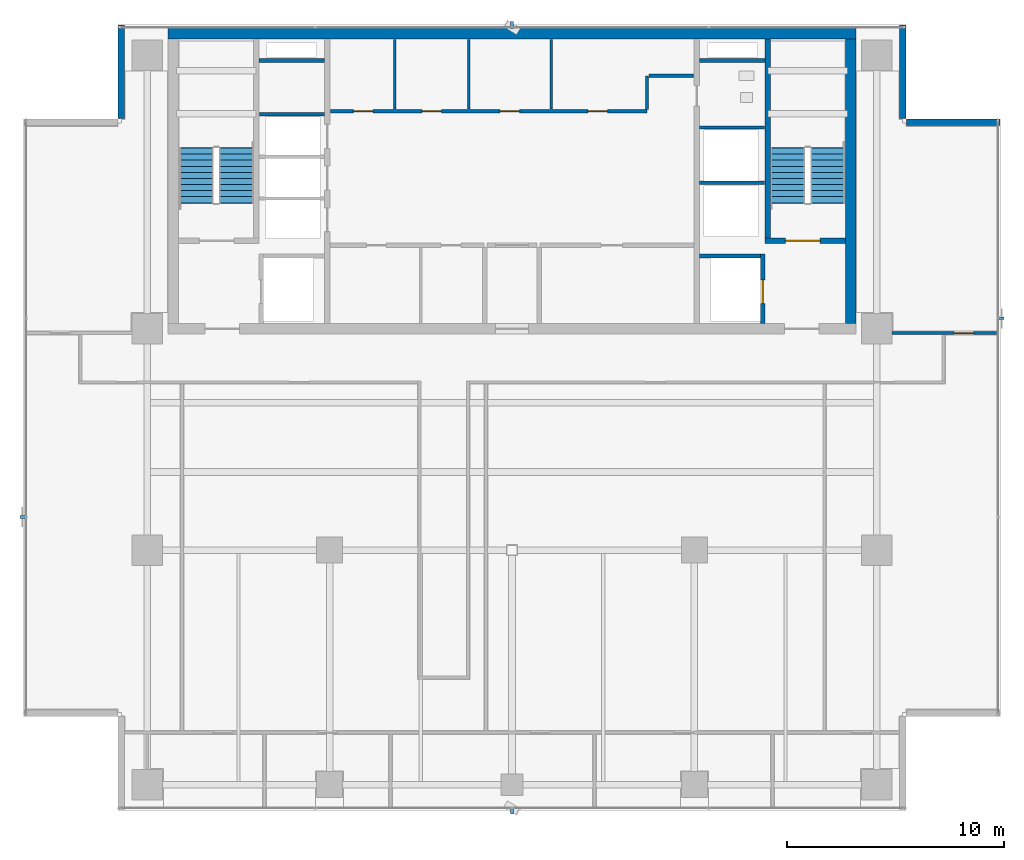
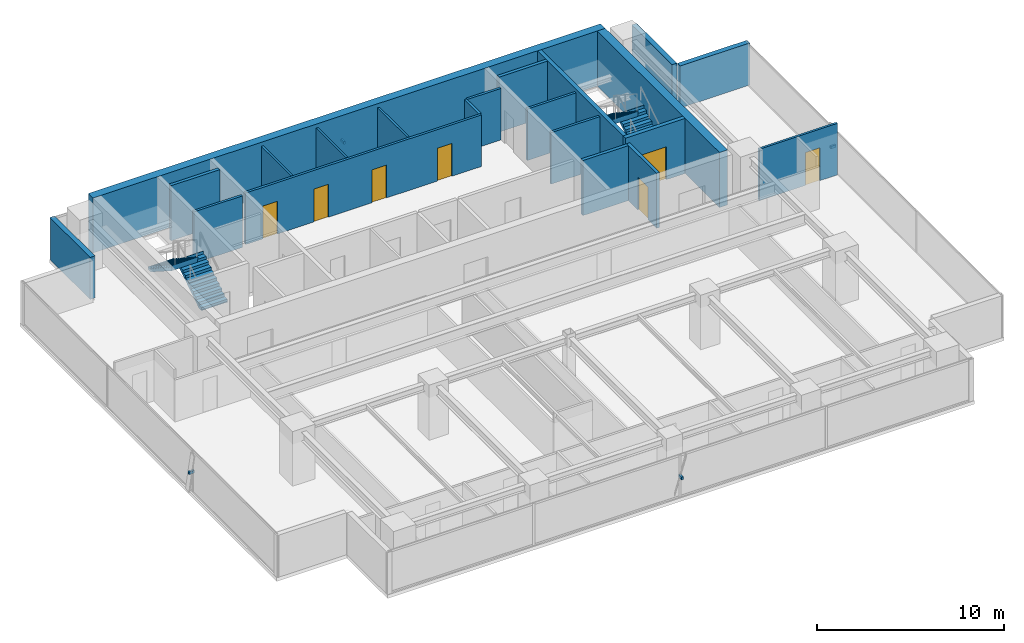
# One storey, part 21 of 25: 21 walls, 7 doors, 4 discrete accessories, 4 stair flights, 7 openings, 2 elements without a shape of their own.
"""IFC4 building model written with IfcOpenShell, lengths in metres."""

import ifcopenshell
import ifcopenshell.guid

model = None  # the IFC model being written
_history = None  # IfcOwnerHistory: only IFC2X3 demands one
_inside = {}  # id of a spatial element -> (the spatial element, [elements in it])
_under = {}  # id of a project, library or spatial element -> (it, [spatial elements below it])
_declared = {}  # id of a project -> (the project, [libraries it declares])
_typed = {}  # id of a type object -> (the type object, [elements of that type])
_made_of = {}  # id of a material, layer set ... -> (it, [elements and type objects made of it])


def new_model(schema):
    """Start an empty IFC model of exactly this schema.

    Asked for "IFC4X3", IfcOpenShell would pick the latest addendum, in which some entities
    have other attributes; the version numbers below select the first issue.
    IFC2X3 requires an IfcOwnerHistory on every rooted entity: one is made here for all.
    """
    global model, _history
    if schema == "IFC4X3":
        model = ifcopenshell.file(schema_version=(4, 3, 0, 0))
    else:
        model = ifcopenshell.file(schema=schema)
    _inside.clear()
    _under.clear()
    _declared.clear()
    _typed.clear()
    _made_of.clear()
    _history = None
    if model.schema == "IFC2X3":
        org = make("IfcOrganization", Name="unknown")
        user = make(
            "IfcPersonAndOrganization",
            ThePerson=make("IfcPerson", FamilyName="unknown"),
            TheOrganization=org,
        )
        app = make(
            "IfcApplication",
            ApplicationDeveloper=org,
            Version="unknown",
            ApplicationFullName="unknown",
            ApplicationIdentifier="unknown",
        )
        _history = make(
            "IfcOwnerHistory",
            OwningUser=user,
            OwningApplication=app,
            ChangeAction="ADDED",
            CreationDate=0,
        )
    return model


def make(cls, **values):
    """One entity of the class cls with the attributes given. An attribute that is None is left unset."""
    return model.create_entity(
        cls, **{name: value for name, value in values.items() if value is not None}
    )


def rooted(cls, **values):
    """An entity with a GlobalId (a new one), such as an element, a storey or a relation."""
    return make(cls, GlobalId=ifcopenshell.guid.new(), OwnerHistory=_history, **values)


def si_unit(unit_type, name, prefix=None):
    """IfcSIUnit, for example si_unit("LENGTHUNIT", "METRE", prefix="MILLI")."""
    return make("IfcSIUnit", UnitType=unit_type, Prefix=prefix, Name=name)


def assignment(units):
    """IfcUnitAssignment: the units of a project."""
    return None if units is None else make("IfcUnitAssignment", Units=units)


def point(xyz):
    """IfcCartesianPoint."""
    return None if xyz is None else make("IfcCartesianPoint", Coordinates=xyz)


def direction(xyz):
    """IfcDirection."""
    return None if xyz is None else make("IfcDirection", DirectionRatios=xyz)


def frame(location, z_axis=None, x_axis=None):
    """IfcAxis2Placement3D, a coordinate frame: its origin and axes. An axis left out is left unset."""
    return make(
        "IfcAxis2Placement3D",
        Location=point(location),
        Axis=direction(z_axis),
        RefDirection=direction(x_axis),
    )


def frame_2d(location, x_axis=None):
    """IfcAxis2Placement2D, a coordinate frame in the plane: its origin and x axis."""
    return make(
        "IfcAxis2Placement2D", Location=point(location), RefDirection=direction(x_axis)
    )


def origin():
    """The frame at (0, 0, 0) with its axes left unset."""
    return frame((0.0, 0.0, 0.0))


def origin_2d():
    """The frame at (0, 0) in the plane with its x axis left unset."""
    return frame_2d((0.0, 0.0))


def place(relative_to, where):
    """IfcLocalPlacement: puts the frame where relative to a parent placement (None: the world)."""
    return make(
        "IfcLocalPlacement", PlacementRelTo=relative_to, RelativePlacement=where
    )


def context(
    kind, dimensions, precision=None, world=None, true_north=None, identifier=None
):
    """IfcGeometricRepresentationContext, for example the 3D "Model" context."""
    return make(
        "IfcGeometricRepresentationContext",
        ContextIdentifier=identifier,
        ContextType=kind,
        CoordinateSpaceDimension=dimensions,
        Precision=precision,
        WorldCoordinateSystem=world,
        TrueNorth=true_north,
    )


def subcontext(parent, identifier, kind, view, scale=None):
    """IfcGeometricRepresentationSubContext, for example "Body" below "Model"."""
    return make(
        "IfcGeometricRepresentationSubContext",
        ContextIdentifier=identifier,
        ContextType=kind,
        ParentContext=parent,
        TargetScale=scale,
        TargetView=view,
    )


def project(units=None, contexts=None):
    """IfcProject with its units and contexts."""
    return rooted(
        "IfcProject",
        Name="project",
        RepresentationContexts=contexts,
        UnitsInContext=assignment(units),
    )


def spatial(cls, under=None, at=None, **own):
    """A site, building, storey or space (cls), placed at a placement, below another one or the project."""
    s = rooted(cls, ObjectPlacement=at, **own)
    if under is not None:
        _under.setdefault(under.id(), (under, []))[1].append(s)
    return s


def polyline(points):
    """IfcPolyline through the points."""
    return make("IfcPolyline", Points=[point(p) for p in points])


def profile(cls, at=None, kind="AREA", **sizes):
    """A parametric profile (cls). Its sizes go by their IFC names, for example OverallWidth=200.0."""
    return make(cls, ProfileType=kind, Position=at, **sizes)


def rectangle(**sizes):
    """IfcRectangleProfileDef."""
    return profile("IfcRectangleProfileDef", **sizes)


def outline(outer, holes=None, kind="AREA"):
    """IfcArbitraryClosedProfileDef: a profile drawn as a closed curve; with holes, ...WithVoids."""
    if holes is None:
        return make("IfcArbitraryClosedProfileDef", ProfileType=kind, OuterCurve=outer)
    return make(
        "IfcArbitraryProfileDefWithVoids",
        ProfileType=kind,
        OuterCurve=outer,
        InnerCurves=holes,
    )


def extrude(swept, where, along, depth):
    """IfcExtrudedAreaSolid: the profile swept, set in the frame where, extruded along a direction by depth."""
    return make(
        "IfcExtrudedAreaSolid",
        SweptArea=swept,
        Position=where,
        ExtrudedDirection=direction(along),
        Depth=depth,
    )


def shape(context_of_items, identifier, shape_type, items):
    """IfcShapeRepresentation: the items that make up one representation, for example the "Body"."""
    return make(
        "IfcShapeRepresentation",
        ContextOfItems=context_of_items,
        RepresentationIdentifier=identifier,
        RepresentationType=shape_type,
        Items=items,
    )


def source(mapping_origin, context_of_items, identifier, shape_type, items):
    """IfcRepresentationMap: a shape defined once, which mapped items show again and again."""
    return make(
        "IfcRepresentationMap",
        MappingOrigin=mapping_origin,
        MappedRepresentation=shape(context_of_items, identifier, shape_type, items),
    )


def transform(
    local_origin,
    x_axis=None,
    y_axis=None,
    z_axis=None,
    scale=None,
    scale2=None,
    scale3=None,
    uniform=True,
):
    """IfcCartesianTransformationOperator3D, or its non-uniform kind. x_axis, y_axis, z_axis: its Axis1, 2, 3."""
    if uniform:
        return make(
            "IfcCartesianTransformationOperator3D",
            Axis1=direction(x_axis),
            Axis2=direction(y_axis),
            LocalOrigin=point(local_origin),
            Scale=scale,
            Axis3=direction(z_axis),
        )
    return make(
        "IfcCartesianTransformationOperator3DnonUniform",
        Axis1=direction(x_axis),
        Axis2=direction(y_axis),
        LocalOrigin=point(local_origin),
        Scale=scale,
        Axis3=direction(z_axis),
        Scale2=scale2,
        Scale3=scale3,
    )


def mapped(mapping_source, mapping_target):
    """IfcMappedItem: shows the shape of a source again, moved by a transform."""
    return make(
        "IfcMappedItem", MappingSource=mapping_source, MappingTarget=mapping_target
    )


def material(Name=None, Category=None):
    """IfcMaterial."""
    return make("IfcMaterial", Name=Name, Category=Category)


def layer(
    of_material, thickness, ventilated=None, Name=None, Category=None, Priority=None
):
    """IfcMaterialLayer: one layer of a wall or slab, of a material (None: an air gap)."""
    return make(
        "IfcMaterialLayer",
        Material=of_material,
        LayerThickness=thickness,
        IsVentilated=ventilated,
        Name=Name,
        Category=Category,
        Priority=Priority,
    )


def layer_set(layers, Name=None):
    """IfcMaterialLayerSet."""
    return make("IfcMaterialLayerSet", MaterialLayers=layers, LayerSetName=Name)


def material_profile(
    of_material, cross_section, Name=None, Category=None, Priority=None
):
    """IfcMaterialProfile: a cross section and its material."""
    return make(
        "IfcMaterialProfile",
        Name=Name,
        Material=of_material,
        Profile=cross_section,
        Priority=Priority,
        Category=Category,
    )


def profile_set(profiles, Name=None, composite=None):
    """IfcMaterialProfileSet."""
    return make(
        "IfcMaterialProfileSet",
        Name=Name,
        MaterialProfiles=profiles,
        CompositeProfile=composite,
    )


def made_of(thing, what):
    """Note that an element or type object is made of a material, layer set ...; save() writes the relation."""
    if what is not None:
        _made_of.setdefault(what.id(), (what, []))[1].append(thing)
    return thing


def type_object(cls, material=None, **own):
    """A type object (cls), such as IfcWallType, which elements share."""
    return made_of(rooted(cls, **own), material)


def element(
    cls,
    number,
    at=None,
    inside=None,
    cuts=None,
    type_object=None,
    material=None,
    context=None,
    identifier="Body",
    shape_type=None,
    held_by="IfcProductDefinitionShape",
    body=None,
    shapes=None,
    **own,
):
    """One element of the class cls, such as IfcWall. Its Tag is "e" and its number.

    at: its placement. inside: the storey or other place that contains it. cuts: it is an
    opening in that element (IfcRelVoidsElement). A single representation is given by context,
    identifier, shape_type and body (its items); several are given by shapes. held_by: the class
    of the entity that holds the representations. save() writes the other relations.
    """
    e = rooted(cls, Tag="e%d" % number, ObjectPlacement=at, **own)
    if body is not None:
        shapes = [shape(context, identifier, shape_type, body)]
    if shapes is not None:
        e.Representation = make(held_by, Representations=shapes)
    if inside is not None:
        _inside.setdefault(inside.id(), (inside, []))[1].append(e)
    if cuts is not None:
        rooted(
            "IfcRelVoidsElement", RelatingBuildingElement=cuts, RelatedOpeningElement=e
        )
    if type_object is not None:
        _typed.setdefault(type_object.id(), (type_object, []))[1].append(e)
    return made_of(e, material)


def fill(opening, filler):
    """IfcRelFillsElement: the door or window that sits in an opening."""
    return rooted(
        "IfcRelFillsElement",
        RelatingOpeningElement=opening,
        RelatedBuildingElement=filler,
    )


def aggregate(whole, parts):
    """IfcRelAggregates: a whole, such as a stair, and the parts it consists of."""
    return rooted("IfcRelAggregates", RelatingObject=whole, RelatedObjects=parts)


def save(model, path):
    """Write the relations noted so far, then the file.

    IfcRelAggregates (storeys below a building ...), IfcRelContainedInSpatialStructure (elements
    in a storey), IfcRelDefinesByType, IfcRelAssociatesMaterial and IfcRelDeclares: one each for
    every whole, place, type object, material and project.
    """
    for whole, parts in _under.values():
        aggregate(whole, parts)
    for where, things in _inside.values():
        rooted(
            "IfcRelContainedInSpatialStructure",
            RelatedElements=things,
            RelatingStructure=where,
        )
    for kind, things in _typed.values():
        rooted("IfcRelDefinesByType", RelatedObjects=things, RelatingType=kind)
    for what, things in _made_of.values():
        rooted("IfcRelAssociatesMaterial", RelatedObjects=things, RelatingMaterial=what)
    for by, libraries in _declared.values():
        rooted("IfcRelDeclares", RelatingContext=by, RelatedDefinitions=libraries)
    model.write(path)


model = new_model("IFC4")

# Units and contexts
model_context = context("Model", 3, precision=1e-05, world=origin(), true_north=direction((0.0, 1.0)))
body_context = subcontext(model_context, "Body", "Model", "MODEL_VIEW")
ifc_project = project(units=[si_unit("LENGTHUNIT", "METRE"), si_unit("AREAUNIT", "SQUARE_METRE"), si_unit("VOLUMEUNIT", "CUBIC_METRE"), si_unit("PLANEANGLEUNIT", "RADIAN"), si_unit("MASSUNIT", "GRAM", prefix="KILO")], contexts=[model_context])

# Site, building, storey
site_placement = place(None, origin())
site = spatial("IfcSite", under=ifc_project, at=site_placement, CompositionType="ELEMENT")
building_placement = place(site_placement, origin())
building = spatial("IfcBuilding", under=site, at=building_placement, Name="Sumidabori Civic Tower", CompositionType="ELEMENT")
storey_placement = place(building_placement, frame((0.0, 0.0, 239.60009765625)))
storey = spatial("IfcBuildingStorey", under=building, at=storey_placement, Name="L62", CompositionType="ELEMENT", Elevation=239.60009765625)

# Walls
ifc_material_1 = material(Name="Concrete C50/60", Category="concrete")
ifc_layer_1 = layer(ifc_material_1, 0.199951171875, Name="Concrete C50/60")
ifc_layer_set_1 = layer_set([ifc_layer_1], Name="Concrete C50/60")
wall_type_1 = type_object("IfcWallType", Name="WL-SHAFT-200", PredefinedType="SHEAR", material=ifc_layer_set_1)
shared_shape_1 = source(origin(), body_context, "Body", "SweptSolid", [
    extrude(rectangle(XDim=2.824951171875, YDim=0.199951171875, at=frame_2d((1.41259765625, 0.0))), origin(), (0.0, 0.0, 1.0), 3.599853515625),
])
wall_1_placement = place(storey_placement, frame((8.625, 13.550048828125, 0.0), z_axis=(0.0, 0.0, 1.0), x_axis=(1.0, 0.0, 0.0)))
element("IfcWall", 1, at=wall_1_placement, inside=storey, type_object=wall_type_1, Name="Core Shear Wall L62 EL2-N", PredefinedType="SHEAR", context=body_context, shape_type="MappedRepresentation", body=[
    mapped(shared_shape_1, transform((0.0, 0.0, 0.0), x_axis=(1.0, 0.0, 0.0), y_axis=(0.0, 1.0, 0.0), z_axis=(0.0, 0.0, 1.0), scale=1.0)),
])
shared_shape_2 = source(origin(), body_context, "Body", "SweptSolid", [
    extrude(rectangle(XDim=3.02001953125, YDim=0.199951171875, at=frame_2d((1.510009765625, 0.0))), origin(), (0.0, 0.0, 1.0), 3.599853515625),
])
for number, where, z_axis, x_axis, name in (
    (2, (-11.64501953125, 22.550048828125, 0.0), (0.0, 0.0, 1.0), (1.0, 0.0, 0.0), "Core Shear Wall L62 RIS1-S"),
    (3, (8.625, 22.550048828125, 0.0), (0.0, 0.0, 1.0), (1.0, 0.0, 0.0), "Core Shear Wall L62 RIS2-S"),
):
    element("IfcWall", number, at=place(storey_placement, frame(where, z_axis=z_axis, x_axis=x_axis)), inside=storey, type_object=wall_type_1, Name=name, PredefinedType="SHEAR", context=body_context, shape_type="MappedRepresentation", body=[
        mapped(shared_shape_2, transform((0.0, 0.0, 0.0), x_axis=(1.0, 0.0, 0.0), y_axis=(0.0, 1.0, 0.0), z_axis=(0.0, 0.0, 1.0), scale=1.0)),
    ])
ifc_layer_2 = layer(ifc_material_1, 0.5, Name="Concrete C50/60")
ifc_layer_set_2 = layer_set([ifc_layer_2], Name="Concrete C50/60")
wall_type_2 = type_object("IfcWallType", Name="WL-CORE-500", PredefinedType="SHEAR", material=ifc_layer_set_2)
shared_shape_3 = source(origin(), body_context, "Body", "SweptSolid", [
    extrude(rectangle(XDim=31.7001953125, YDim=0.5, at=frame_2d((15.85009765625, 0.0))), origin(), (0.0, 0.0, 1.0), 3.599853515625),
])
wall_2_placement = place(storey_placement, frame((-15.85009765625, 23.800048828125, 0.0), z_axis=(0.0, 0.0, 1.0), x_axis=(1.0, 0.0, 0.0)))
element("IfcWall", 4, at=wall_2_placement, inside=storey, type_object=wall_type_2, Name="Core Shear Wall L62 N", PredefinedType="SHEAR", context=body_context, shape_type="MappedRepresentation", body=[
    mapped(shared_shape_3, transform((0.0, 0.0, 0.0), x_axis=(1.0, 0.0, 0.0), y_axis=(0.0, 1.0, 0.0), z_axis=(0.0, 0.0, 1.0), scale=1.0)),
])
shared_shape_4 = source(origin(), body_context, "Body", "SweptSolid", [
    extrude(rectangle(XDim=13.10009765625, YDim=0.5, at=frame_2d((6.550048828125, 0.0))), origin(), (0.0, 0.0, 1.0), 3.599853515625),
])
wall_3_placement = place(storey_placement, frame((15.60009765625, 10.449951171875, 0.0), z_axis=(0.0, 0.0, 1.0), x_axis=(0.0, 1.0, 0.0)))
element("IfcWall", 5, at=wall_3_placement, inside=storey, type_object=wall_type_2, Name="Core Shear Wall L62 E", PredefinedType="SHEAR", context=body_context, shape_type="MappedRepresentation", body=[
    mapped(shared_shape_4, transform((0.0, 0.0, 0.0), x_axis=(1.0, 0.0, 0.0), y_axis=(0.0, 1.0, 0.0), z_axis=(0.0, 0.0, 1.0), scale=1.0)),
])

# Wall, opening, door
ifc_layer_3 = layer(ifc_material_1, 0.25, Name="Concrete C50/60")
ifc_layer_set_3 = layer_set([ifc_layer_3], Name="Concrete C50/60")
wall_type_3 = type_object("IfcWallType", Name="WL-SHAFT-250", PredefinedType="SHEAR", material=ifc_layer_set_3)
shared_shape_5 = source(origin(), body_context, "Body", "SweptSolid", [
    extrude(rectangle(XDim=3.705078125, YDim=0.25, at=frame_2d((1.8525390625, 0.0))), origin(), (0.0, 0.0, 1.0), 3.599853515625),
])
wall_4_placement = place(storey_placement, frame((11.64501953125, 14.25, 0.0), z_axis=(0.0, 0.0, 1.0), x_axis=(1.0, 0.0, 0.0)))
wall_4 = element("IfcWall", 6, at=wall_4_placement, inside=storey, type_object=wall_type_3, Name="Core Shear Wall L62 ST2-S", PredefinedType="SHEAR", context=body_context, shape_type="MappedRepresentation", body=[
    mapped(shared_shape_5, transform((0.0, 0.0, 0.0), x_axis=(1.0, 0.0, 0.0), y_axis=(0.0, 1.0, 0.0), z_axis=(0.0, 0.0, 1.0), scale=1.0)),
])
opening_1_placement = place(wall_4_placement, frame((0.949951171875, 0.0, 0.0)))
opening_1 = element("IfcOpeningElement", 7, at=opening_1_placement, cuts=wall_4, Name="Opening DR-FD4", PredefinedType="OPENING", context=body_context, shape_type="SweptSolid", body=[
    extrude(rectangle(XDim=1.60009765625, YDim=2.14990234375, at=frame_2d((0.800048828125, 1.074951171875))), frame((0.0, 0.136962890625, 0.0), z_axis=(0.0, -1.0, 0.0), x_axis=(1.0, 0.0, 0.0)), (0.0, 0.0, 1.0), 0.27392578125),
])
ifc_material_2 = material(Name="Steel SN490", Category="steel")
door_type_1 = type_object("IfcDoorType", Name="DR-FD4", OperationType="DOUBLE_DOOR_SINGLE_SWING", PredefinedType="DOOR", material=ifc_material_2)
shared_shape_6 = source(origin(), body_context, "Body", "SweptSolid", [
    extrude(rectangle(XDim=1.60009765625, YDim=2.14990234375, at=frame_2d((0.800048828125, 1.074951171875))), frame((0.0, 0.02490234375, 0.0), z_axis=(0.0, -1.0, 0.0), x_axis=(1.0, 0.0, 0.0)), (0.0, 0.0, 1.0), 0.050048828125),
])
door_1_placement = place(opening_1_placement, origin())
door_1 = element("IfcDoor", 8, at=door_1_placement, inside=storey, type_object=door_type_1, Name="Door DR:L62:ST2", OperationType="DOUBLE_DOOR_SINGLE_SWING", OverallHeight=2.14990234375, OverallWidth=1.60009765625, PredefinedType="DOOR", context=body_context, shape_type="MappedRepresentation", body=[
    mapped(shared_shape_6, transform((0.0, 0.0, 0.0), x_axis=(1.0, 0.0, 0.0), y_axis=(0.0, 1.0, 0.0), z_axis=(0.0, 0.0, 1.0), scale=1.0)),
])
fill(opening_1, door_1)

# Wall
shared_shape_7 = source(origin(), body_context, "Body", "SweptSolid", [
    extrude(rectangle(XDim=9.175048828125, YDim=0.25, at=frame_2d((4.58740234375, 0.0))), origin(), (0.0, 0.0, 1.0), 3.599853515625),
])
wall_5_placement = place(storey_placement, frame((11.77001953125, 14.375, 0.0), z_axis=(0.0, 0.0, 1.0), x_axis=(0.0, 1.0, 0.0)))
element("IfcWall", 9, at=wall_5_placement, inside=storey, type_object=wall_type_3, Name="Core Shear Wall L62 ST2-W", PredefinedType="SHEAR", context=body_context, shape_type="MappedRepresentation", body=[
    mapped(shared_shape_7, transform((0.0, 0.0, 0.0), x_axis=(1.0, 0.0, 0.0), y_axis=(0.0, 1.0, 0.0), z_axis=(0.0, 0.0, 1.0), scale=1.0)),
])

# Wall, opening, door
shared_shape_8 = source(origin(), body_context, "Body", "SweptSolid", [
    extrude(rectangle(XDim=3.199951171875, YDim=0.199951171875, at=frame_2d((1.60009765625, 0.0))), origin(), (0.0, 0.0, 1.0), 3.599853515625),
])
wall_6_placement = place(storey_placement, frame((11.550048828125, 10.449951171875, 0.0), z_axis=(0.0, 0.0, 1.0), x_axis=(0.0, 1.0, 0.0)))
wall_6 = element("IfcWall", 10, at=wall_6_placement, inside=storey, type_object=wall_type_1, Name="Core Shear Wall L62 EL2-E", PredefinedType="SHEAR", context=body_context, shape_type="MappedRepresentation", body=[
    mapped(shared_shape_8, transform((0.0, 0.0, 0.0), x_axis=(1.0, 0.0, 0.0), y_axis=(0.0, 1.0, 0.0), z_axis=(0.0, 0.0, 1.0), scale=1.0)),
])
opening_2_placement = place(wall_6_placement, frame((0.89990234375, 0.0, 0.0)))
opening_2 = element("IfcOpeningElement", 11, at=opening_2_placement, cuts=wall_6, Name="Opening LD-2", PredefinedType="OPENING", context=body_context, shape_type="SweptSolid", body=[
    extrude(rectangle(XDim=1.10009765625, YDim=2.14990234375, at=frame_2d((0.550048828125, 1.074951171875))), frame((0.0, 0.11181640625, 0.0), z_axis=(0.0, -1.0, 0.0), x_axis=(1.0, 0.0, 0.0)), (0.0, 0.0, 1.0), 0.223876953125),
])
ifc_material_3 = material(Name="Stainless Steel Hairline Finish", Category="steel")
door_type_2 = type_object("IfcDoorType", Name="DR-LD2", OperationType="DOUBLE_DOOR_SLIDING", PredefinedType="DOOR", material=ifc_material_3)
shared_shape_9 = source(origin(), body_context, "Body", "SweptSolid", [
    extrude(rectangle(XDim=1.10009765625, YDim=2.14990234375, at=frame_2d((0.550048828125, 1.074951171875))), frame((0.0, 0.02490234375, 0.0), z_axis=(0.0, -1.0, 0.0), x_axis=(1.0, 0.0, 0.0)), (0.0, 0.0, 1.0), 0.050048828125),
])
door_2_placement = place(opening_2_placement, origin())
door_2 = element("IfcDoor", 12, at=door_2_placement, inside=storey, type_object=door_type_2, Name="Door DR:L62:LD-EL2", OperationType="DOUBLE_DOOR_SLIDING", OverallHeight=2.14990234375, OverallWidth=1.10009765625, PredefinedType="DOOR", context=body_context, shape_type="MappedRepresentation", body=[
    mapped(shared_shape_9, transform((0.0, 0.0, 0.0), x_axis=(1.0, 0.0, 0.0), y_axis=(0.0, 1.0, 0.0), z_axis=(0.0, 0.0, 1.0), scale=1.0)),
])
fill(opening_2, door_2)

# Walls
ifc_material_4 = material(Name="Precast concrete C40/50", Category="concrete")
ifc_layer_4 = layer(ifc_material_4, 0.300048828125, Name="Precast concrete C40/50")
ifc_layer_set_4 = layer_set([ifc_layer_4], Name="Precast concrete C40/50")
wall_type_4 = type_object("IfcWallType", Name="WL-EXT-POD300", PredefinedType="STANDARD", material=ifc_layer_set_4)
shared_shape_10 = source(origin(), body_context, "Body", "SweptSolid", [
    extrude(rectangle(XDim=4.31005859375, YDim=0.300048828125, at=frame_2d((2.155029296875, 0.0))), origin(), (0.0, 0.0, 1.0), 2.75),
])
wall_7_placement = place(storey_placement, frame((22.47998046875, 19.699951171875, 0.0), z_axis=(0.0, 0.0, 1.0), x_axis=(-1.0, 0.0, 0.0)))
element("IfcWall", 13, at=wall_7_placement, inside=storey, type_object=wall_type_4, Name="Notched Corner Spandrel Band L62-05", PredefinedType="STANDARD", context=body_context, shape_type="MappedRepresentation", body=[
    mapped(shared_shape_10, transform((0.0, 0.0, 0.0), x_axis=(1.0, 0.0, 0.0), y_axis=(0.0, 1.0, 0.0), z_axis=(0.0, 0.0, 1.0), scale=1.0)),
])
shared_shape_11 = source(origin(), body_context, "Body", "SweptSolid", [
    extrude(rectangle(XDim=4.309814453125, YDim=0.300048828125, at=frame_2d((2.15478515625, 0.0))), origin(), (0.0, 0.0, 1.0), 2.75),
])
for number, where, z_axis, x_axis, name in (
    (14, (18.0, 19.8701171875, 0.0), (0.0, 0.0, 1.0), (0.0, 1.0, 0.0), "Notched Corner Spandrel Band L62-06"),
    (15, (-18.0, 24.179931640625, 0.0), (0.0, 0.0, 1.0), (0.0, -1.0, 0.0), "Notched Corner Spandrel Band L62-08"),
):
    element("IfcWall", number, at=place(storey_placement, frame(where, z_axis=z_axis, x_axis=x_axis)), inside=storey, type_object=wall_type_4, Name=name, PredefinedType="STANDARD", context=body_context, shape_type="MappedRepresentation", body=[
        mapped(shared_shape_11, transform((0.0, 0.0, 0.0), x_axis=(1.0, 0.0, 0.0), y_axis=(0.0, 1.0, 0.0), z_axis=(0.0, 0.0, 1.0), scale=1.0)),
    ])
ifc_material_5 = material(Name="Gypsum Plasterboard Acoustic Partition")
ifc_layer_5 = layer(ifc_material_5, 0.14990234375, Name="Gypsum Plasterboard Acoustic Partition")
ifc_layer_set_5 = layer_set([ifc_layer_5], Name="Gypsum Plasterboard Acoustic Partition")
wall_type_5 = type_object("IfcWallType", Name="WL-PART-150", PredefinedType="PARTITIONING", material=ifc_layer_set_5)
shared_shape_12 = source(origin(), body_context, "Body", "SweptSolid", [
    extrude(rectangle(XDim=3.010009765625, YDim=0.14990234375, at=frame_2d((1.5048828125, 0.0))), origin(), (0.0, 0.0, 1.0), 3.369873046875),
])
for number, where, z_axis, x_axis, name in (
    (16, (-11.639892578125, 20.080078125, 0.0), (0.0, 0.0, 1.0), (1.0, 0.0, 0.0), "Interior Partition WL:L62:DIV-PLH3"),
    (17, (8.6298828125, 16.919921875, 0.0), (0.0, 0.0, 1.0), (1.0, 0.0, 0.0), "Interior Partition WL:L62:DIV-OBS1"),
    (18, (8.6298828125, 19.469970703125, 0.0), (0.0, 0.0, 1.0), (1.0, 0.0, 0.0), "Interior Partition WL:L62:DIV-OBS2"),
):
    element("IfcWall", number, at=place(storey_placement, frame(where, z_axis=z_axis, x_axis=x_axis)), inside=storey, type_object=wall_type_5, Name=name, PredefinedType="PARTITIONING", context=body_context, shape_type="MappedRepresentation", body=[
        mapped(shared_shape_12, transform((0.0, 0.0, 0.0), x_axis=(1.0, 0.0, 0.0), y_axis=(0.0, 1.0, 0.0), z_axis=(0.0, 0.0, 1.0), scale=1.0)),
    ])

# Wall, openings, doors
shared_shape_13 = source(origin(), body_context, "Body", "SweptSolid", [
    extrude(rectangle(XDim=14.590087890625, YDim=0.14990234375, at=frame_2d((7.294921875, 0.0))), origin(), (0.0, 0.0, 1.0), 3.369873046875),
])
wall_8_placement = place(storey_placement, frame((-8.3701171875, 20.219970703125, 0.0), z_axis=(0.0, 0.0, 1.0), x_axis=(1.0, 0.0, 0.0)))
wall_8 = element("IfcWall", 19, at=wall_8_placement, inside=storey, type_object=wall_type_5, Name="Interior Partition WL:L62:CBAND-M", PredefinedType="PARTITIONING", context=body_context, shape_type="MappedRepresentation", body=[
    mapped(shared_shape_13, transform((0.0, 0.0, 0.0), x_axis=(1.0, 0.0, 0.0), y_axis=(0.0, 1.0, 0.0), z_axis=(0.0, 0.0, 1.0), scale=1.0)),
])
opening_3_placement = place(wall_8_placement, frame((1.06005859375, 0.0, 0.0)))
opening_3 = element("IfcOpeningElement", 20, at=opening_3_placement, cuts=wall_8, Name="Opening DR-1", PredefinedType="OPENING", context=body_context, shape_type="SweptSolid", body=[
    extrude(rectangle(XDim=0.89990234375, YDim=2.14990234375, at=frame_2d((0.449951171875, 1.074951171875))), frame((0.0, 0.0869140625, 0.0), z_axis=(0.0, -1.0, 0.0), x_axis=(1.0, 0.0, 0.0)), (0.0, 0.0, 1.0), 0.173828125),
])
opening_4_placement = place(wall_8_placement, frame((4.219970703125, 0.0, 0.0)))
opening_4 = element("IfcOpeningElement", 21, at=opening_4_placement, cuts=wall_8, Name="Opening DR-1", PredefinedType="OPENING", context=body_context, shape_type="SweptSolid", body=[
    extrude(rectangle(XDim=0.89990234375, YDim=2.14990234375, at=frame_2d((0.449951171875, 1.074951171875))), frame((0.0, 0.0869140625, 0.0), z_axis=(0.0, -1.0, 0.0), x_axis=(1.0, 0.0, 0.0)), (0.0, 0.0, 1.0), 0.173828125),
])
opening_5_placement = place(wall_8_placement, frame((7.820068359375, 0.0, 0.0)))
opening_5 = element("IfcOpeningElement", 22, at=opening_5_placement, cuts=wall_8, Name="Opening DR-1", PredefinedType="OPENING", context=body_context, shape_type="SweptSolid", body=[
    extrude(rectangle(XDim=0.89990234375, YDim=2.14990234375, at=frame_2d((0.449951171875, 1.074951171875))), frame((0.0, 0.0869140625, 0.0), z_axis=(0.0, -1.0, 0.0), x_axis=(1.0, 0.0, 0.0)), (0.0, 0.0, 1.0), 0.173828125),
])
opening_6_placement = place(wall_8_placement, frame((11.8701171875, 0.0, 0.0)))
opening_6 = element("IfcOpeningElement", 23, at=opening_6_placement, cuts=wall_8, Name="Opening DR-1", PredefinedType="OPENING", context=body_context, shape_type="SweptSolid", body=[
    extrude(rectangle(XDim=0.89990234375, YDim=2.14990234375, at=frame_2d((0.449951171875, 1.074951171875))), frame((0.0, 0.0869140625, 0.0), z_axis=(0.0, -1.0, 0.0), x_axis=(1.0, 0.0, 0.0)), (0.0, 0.0, 1.0), 0.173828125),
])
ifc_material_6 = material(Name="Japanese Hinoki Timber", Category="wood")
door_type_3 = type_object("IfcDoorType", Name="DR-INT-900", OperationType="NOTDEFINED", PredefinedType="DOOR", material=ifc_material_6)
shared_shape_14 = source(origin(), body_context, "Body", "SweptSolid", [
    extrude(rectangle(XDim=0.89990234375, YDim=2.14990234375, at=frame_2d((0.449951171875, 1.074951171875))), frame((0.0, 0.02490234375, 0.0), z_axis=(0.0, -1.0, 0.0), x_axis=(1.0, 0.0, 0.0)), (0.0, 0.0, 1.0), 0.050048828125),
])
door_3_placement = place(opening_3_placement, origin())
door_3 = element("IfcDoor", 24, at=door_3_placement, inside=storey, type_object=door_type_3, Name="Door DR:L62:CB-1", OperationType="SINGLE_SWING_LEFT", OverallHeight=2.14990234375, OverallWidth=0.89990234375, PredefinedType="DOOR", context=body_context, shape_type="MappedRepresentation", body=[
    mapped(shared_shape_14, transform((0.0, 0.0, 0.0), x_axis=(1.0, 0.0, 0.0), y_axis=(0.0, 1.0, 0.0), z_axis=(0.0, 0.0, 1.0), scale=1.0)),
])
fill(opening_3, door_3)
door_4_placement = place(opening_4_placement, origin())
door_4 = element("IfcDoor", 25, at=door_4_placement, inside=storey, type_object=door_type_3, Name="Door DR:L62:CB-2", OperationType="SINGLE_SWING_RIGHT", OverallHeight=2.14990234375, OverallWidth=0.89990234375, PredefinedType="DOOR", context=body_context, shape_type="MappedRepresentation", body=[
    mapped(shared_shape_14, transform((0.0, 0.0, 0.0), x_axis=(1.0, 0.0, 0.0), y_axis=(0.0, 1.0, 0.0), z_axis=(0.0, 0.0, 1.0), scale=1.0)),
])
fill(opening_4, door_4)
door_5_placement = place(opening_5_placement, origin())
door_5 = element("IfcDoor", 26, at=door_5_placement, inside=storey, type_object=door_type_3, Name="Door DR:L62:CB-3", OperationType="SINGLE_SWING_LEFT", OverallHeight=2.14990234375, OverallWidth=0.89990234375, PredefinedType="DOOR", context=body_context, shape_type="MappedRepresentation", body=[
    mapped(shared_shape_14, transform((0.0, 0.0, 0.0), x_axis=(1.0, 0.0, 0.0), y_axis=(0.0, 1.0, 0.0), z_axis=(0.0, 0.0, 1.0), scale=1.0)),
])
fill(opening_5, door_5)
door_6_placement = place(opening_6_placement, origin())
door_6 = element("IfcDoor", 27, at=door_6_placement, inside=storey, type_object=door_type_3, Name="Door DR:L62:CB-4", OperationType="SINGLE_SWING_RIGHT", OverallHeight=2.14990234375, OverallWidth=0.89990234375, PredefinedType="DOOR", context=body_context, shape_type="MappedRepresentation", body=[
    mapped(shared_shape_14, transform((0.0, 0.0, 0.0), x_axis=(1.0, 0.0, 0.0), y_axis=(0.0, 1.0, 0.0), z_axis=(0.0, 0.0, 1.0), scale=1.0)),
])
fill(opening_6, door_6)

# Walls
shared_shape_15 = source(origin(), body_context, "Body", "SweptSolid", [
    extrude(rectangle(XDim=1.550048828125, YDim=0.14990234375, at=frame_2d((0.77490234375, 0.0))), origin(), (0.0, 0.0, 1.0), 3.369873046875),
])
wall_9_placement = place(storey_placement, frame((6.219970703125, 20.300048828125, 0.0), z_axis=(0.0, 0.0, 1.0), x_axis=(0.0, 1.0, 0.0)))
element("IfcWall", 28, at=wall_9_placement, inside=storey, type_object=wall_type_5, Name="Interior Partition WL:L62:CBAND-ME1", PredefinedType="PARTITIONING", context=body_context, shape_type="MappedRepresentation", body=[
    mapped(shared_shape_15, transform((0.0, 0.0, 0.0), x_axis=(1.0, 0.0, 0.0), y_axis=(0.0, 1.0, 0.0), z_axis=(0.0, 0.0, 1.0), scale=1.0)),
])
shared_shape_16 = source(origin(), body_context, "Body", "SweptSolid", [
    extrude(rectangle(XDim=2.070068359375, YDim=0.14990234375, at=frame_2d((1.03515625, 0.0))), origin(), (0.0, 0.0, 1.0), 3.369873046875),
])
wall_10_placement = place(storey_placement, frame((6.300048828125, 21.85009765625, 0.0), z_axis=(0.0, 0.0, 1.0), x_axis=(1.0, 0.0, 0.0)))
element("IfcWall", 29, at=wall_10_placement, inside=storey, type_object=wall_type_5, Name="Interior Partition WL:L62:CBAND-ME2", PredefinedType="PARTITIONING", context=body_context, shape_type="MappedRepresentation", body=[
    mapped(shared_shape_16, transform((0.0, 0.0, 0.0), x_axis=(1.0, 0.0, 0.0), y_axis=(0.0, 1.0, 0.0), z_axis=(0.0, 0.0, 1.0), scale=1.0)),
])
ifc_layer_6 = layer(ifc_material_5, 0.1201171875, Name="Gypsum Plasterboard Acoustic Partition")
ifc_layer_set_6 = layer_set([ifc_layer_6], Name="Gypsum Plasterboard Acoustic Partition")
wall_type_6 = type_object("IfcWallType", Name="WL-PART-120", PredefinedType="PARTITIONING", material=ifc_layer_set_6)
shared_shape_17 = source(origin(), body_context, "Body", "SweptSolid", [
    extrude(rectangle(XDim=3.18994140625, YDim=0.1201171875, at=frame_2d((1.594970703125, 0.0))), origin(), (0.0, 0.0, 1.0), 3.369873046875),
])
for number, where, z_axis, x_axis, name in (
    (30, (-5.39990234375, 20.320068359375, 0.0), (0.0, 0.0, 1.0), (0.0, 1.0, 0.0), "Interior Partition WL:L62:LV8-S1"),
    (31, (-2.0, 20.320068359375, 0.0), (0.0, 0.0, 1.0), (0.0, 1.0, 0.0), "Interior Partition WL:L62:LV8-S2"),
    (32, (1.800048828125, 20.320068359375, 0.0), (0.0, 0.0, 1.0), (0.0, 1.0, 0.0), "Interior Partition WL:L62:LV8-S3"),
):
    element("IfcWall", number, at=place(storey_placement, frame(where, z_axis=z_axis, x_axis=x_axis)), inside=storey, type_object=wall_type_6, Name=name, PredefinedType="PARTITIONING", context=body_context, shape_type="MappedRepresentation", body=[
        mapped(shared_shape_17, transform((0.0, 0.0, 0.0), x_axis=(1.0, 0.0, 0.0), y_axis=(0.0, 1.0, 0.0), z_axis=(0.0, 0.0, 1.0), scale=1.0)),
    ])

# Wall, opening, door
ifc_layer_7 = layer(ifc_material_5, 0.135009765625, Name="Gypsum Plasterboard Acoustic Partition")
ifc_layer_set_7 = layer_set([ifc_layer_7], Name="Gypsum Plasterboard Acoustic Partition")
wall_type_7 = type_object("IfcWallType", Name="WL-PART-135", PredefinedType="PARTITIONING", material=ifc_layer_set_7)
shared_shape_18 = source(origin(), body_context, "Body", "SweptSolid", [
    extrude(rectangle(XDim=4.840087890625, YDim=0.135009765625, at=frame_2d((2.419921875, 0.0))), origin(), (0.0, 0.0, 1.0), 3.369873046875),
])
wall_11_placement = place(storey_placement, frame((17.510009765625, 10.0, 0.0), z_axis=(0.0, 0.0, 1.0), x_axis=(1.0, 0.0, 0.0)))
wall_11 = element("IfcWall", 33, at=wall_11_placement, inside=storey, type_object=wall_type_7, Name="Interior Partition WL:L62:FLK-NE", PredefinedType="PARTITIONING", context=body_context, shape_type="MappedRepresentation", body=[
    mapped(shared_shape_18, transform((0.0, 0.0, 0.0), x_axis=(1.0, 0.0, 0.0), y_axis=(0.0, 1.0, 0.0), z_axis=(0.0, 0.0, 1.0), scale=1.0)),
])
opening_7_placement = place(wall_11_placement, frame((2.85009765625, 0.0, 0.0)))
opening_7 = element("IfcOpeningElement", 34, at=opening_7_placement, cuts=wall_11, Name="Opening DR-1", PredefinedType="OPENING", context=body_context, shape_type="SweptSolid", body=[
    extrude(rectangle(XDim=0.89990234375, YDim=2.14990234375, at=frame_2d((0.449951171875, 1.074951171875))), frame((0.0, 0.07958984375, 0.0), z_axis=(0.0, -1.0, 0.0), x_axis=(1.0, 0.0, 0.0)), (0.0, 0.0, 1.0), 0.158935546875),
])
door_7_placement = place(opening_7_placement, origin())
door_7 = element("IfcDoor", 35, at=door_7_placement, inside=storey, type_object=door_type_3, Name="Door DR:L62:D06", OperationType="SINGLE_SWING_RIGHT", OverallHeight=2.14990234375, OverallWidth=0.89990234375, PredefinedType="DOOR", context=body_context, shape_type="MappedRepresentation", body=[
    mapped(shared_shape_14, transform((0.0, 0.0, 0.0), x_axis=(1.0, 0.0, 0.0), y_axis=(0.0, 1.0, 0.0), z_axis=(0.0, 0.0, 1.0), scale=1.0)),
])
fill(opening_7, door_7)

# Stair, stair flights
ifc_material_7 = material(Name="Concrete C40/50", Category="concrete")
stair_type = type_object("IfcStairType", Name="ST-CORE-1600", PredefinedType="HALF_TURN_STAIR", material=ifc_material_7)
stair_1_placement = place(storey_placement, origin())
stair_1 = element("IfcStair", 36, at=stair_1_placement, inside=storey, type_object=stair_type, Name="L62 ST-1", PredefinedType="HALF_TURN_STAIR")
stair_flight_type = type_object("IfcStairFlightType", Name="SF-CORE-1600", PredefinedType="STRAIGHT", material=ifc_material_7)
shared_shape_19 = source(origin(), body_context, "Body", "SweptSolid", [
    extrude(outline(polyline([(-0.02490234375, 0.0), (-0.02490234375, 0.0400390625), (0.0, 0.0400390625), (0.0, 0.179931640625), (0.280029296875, 0.179931640625), (0.280029296875, 0.360107421875), (0.56005859375, 0.360107421875), (0.56005859375, 0.5400390625), (0.840087890625, 0.5400390625), (0.840087890625, 0.719970703125), (1.1201171875, 0.719970703125), (1.1201171875, 0.89990234375), (1.39990234375, 0.89990234375), (1.39990234375, 1.080078125), (1.679931640625, 1.080078125), (1.679931640625, 1.260009765625), (1.9599609375, 1.260009765625), (1.9599609375, 1.43994140625), (2.239990234375, 1.43994140625), (2.239990234375, 1.6201171875), (2.52001953125, 1.6201171875), (2.52001953125, 1.800048828125), (2.544921875, 1.800048828125), (2.544921875, 1.650146484375), (2.52001953125, 1.44189453125), (0.277099609375, 0.0), (-0.02490234375, 0.0)])), frame((0.0, 0.800048828125, 0.0), z_axis=(0.0, -1.0, 0.0), x_axis=(1.0, 0.0, 0.0)), (0.0, 0.0, 1.0), 1.60009765625),
])
stair_flight_1_placement = place(storey_placement, frame((-12.699951171875, 16.0, 0.0), z_axis=(0.0, 0.0, 1.0), x_axis=(0.0, 1.0, 0.0)))
stair_flight_1 = element("IfcStairFlight", 37, at=stair_flight_1_placement, type_object=stair_flight_type, Name="ST-1 flight 1", NumberOfRisers=10, NumberOfTreads=9, PredefinedType="STRAIGHT", RiserHeight=0.18, TreadLength=0.28, context=body_context, shape_type="MappedRepresentation", body=[
    mapped(shared_shape_19, transform((0.0, 0.0, 0.0), x_axis=(1.0, 0.0, 0.0), y_axis=(0.0, 1.0, 0.0), z_axis=(0.0, 0.0, 1.0), scale=1.0)),
])
stair_flight_2_placement = place(storey_placement, frame((-14.5400390625, 18.52001953125, 1.7998046875), z_axis=(0.0, 0.0, 1.0), x_axis=(0.0, -1.0, 0.0)))
stair_flight_2 = element("IfcStairFlight", 38, at=stair_flight_2_placement, type_object=stair_flight_type, Name="ST-1 flight 2", NumberOfRisers=10, NumberOfTreads=9, PredefinedType="STRAIGHT", RiserHeight=0.18, TreadLength=0.28, context=body_context, shape_type="MappedRepresentation", body=[
    mapped(shared_shape_19, transform((0.0, 0.0, 0.0), x_axis=(1.0, 0.0, 0.0), y_axis=(0.0, 1.0, 0.0), z_axis=(0.0, 0.0, 1.0), scale=1.0)),
])
aggregate(stair_1, [stair_flight_1, stair_flight_2])

stair_2_placement = place(storey_placement, origin())
stair_2 = element("IfcStair", 39, at=stair_2_placement, inside=storey, type_object=stair_type, Name="L62 ST-2", PredefinedType="HALF_TURN_STAIR")
stair_flight_3_placement = place(storey_placement, frame((14.5400390625, 16.0, 0.0), z_axis=(0.0, 0.0, 1.0), x_axis=(0.0, 1.0, 0.0)))
stair_flight_3 = element("IfcStairFlight", 40, at=stair_flight_3_placement, type_object=stair_flight_type, Name="ST-2 flight 1", NumberOfRisers=10, NumberOfTreads=9, PredefinedType="STRAIGHT", RiserHeight=0.18, TreadLength=0.28, context=body_context, shape_type="MappedRepresentation", body=[
    mapped(shared_shape_19, transform((0.0, 0.0, 0.0), x_axis=(1.0, 0.0, 0.0), y_axis=(0.0, 1.0, 0.0), z_axis=(0.0, 0.0, 1.0), scale=1.0)),
])
stair_flight_4_placement = place(storey_placement, frame((12.699951171875, 18.52001953125, 1.7998046875), z_axis=(0.0, 0.0, 1.0), x_axis=(0.0, -1.0, 0.0)))
stair_flight_4 = element("IfcStairFlight", 41, at=stair_flight_4_placement, type_object=stair_flight_type, Name="ST-2 flight 2", NumberOfRisers=10, NumberOfTreads=9, PredefinedType="STRAIGHT", RiserHeight=0.18, TreadLength=0.28, context=body_context, shape_type="MappedRepresentation", body=[
    mapped(shared_shape_19, transform((0.0, 0.0, 0.0), x_axis=(1.0, 0.0, 0.0), y_axis=(0.0, 1.0, 0.0), z_axis=(0.0, 0.0, 1.0), scale=1.0)),
])
aggregate(stair_2, [stair_flight_3, stair_flight_4])

# Discrete accessories
ifc_material_profile = material_profile(ifc_material_3, rectangle(XDim=0.1201171875, YDim=0.179931640625, at=origin_2d()), Name="STEEL BRACKET 180x120")
ifc_profile_set = profile_set([ifc_material_profile], Name="Stainless Steel Hairline Finish")
discrete_accessory_type = type_object("IfcDiscreteAccessoryType", Name="AC-BRK-180", PredefinedType="BRACKET", material=ifc_profile_set)
shared_shape_20 = source(origin(), body_context, "Body", "SweptSolid", [
    extrude(rectangle(XDim=0.1201171875, YDim=0.179931640625, at=origin_2d()), origin(), (0.0, 0.0, 1.0), 0.329833984375),
])
for number, where, z_axis, x_axis, name in (
    (42, (0.0, -11.830078125, 1.364990234375), (0.0, -1.0, 0.0), (1.0, 0.0, 0.0), "Bronze Fin Fixing Bracket L62-02"),
    (43, (22.330078125, 10.67333984375, 1.364990234375), (1.0, 0.0, 0.0), (0.0, 1.0, 0.0), "Bronze Fin Fixing Bracket L62-02"),
    (44, (-22.330078125, 1.526611328125, 1.364990234375), (-1.0, 0.0, 0.0), (0.0, -1.0, 0.0), "Bronze Fin Fixing Bracket L62-02"),
):
    element("IfcDiscreteAccessory", number, at=place(storey_placement, frame(where, z_axis=z_axis, x_axis=x_axis)), inside=storey, type_object=discrete_accessory_type, Name=name, PredefinedType="BRACKET", context=body_context, shape_type="MappedRepresentation", body=[
        mapped(shared_shape_20, transform((0.0, 0.0, 0.0), x_axis=(1.0, 0.0, 0.0), y_axis=(0.0, 1.0, 0.0), z_axis=(0.0, 0.0, 1.0), scale=1.0)),
    ])
shared_shape_21 = source(origin(), body_context, "Body", "SweptSolid", [
    extrude(rectangle(XDim=0.1201171875, YDim=0.179931640625, at=origin_2d()), origin(), (0.0, 0.0, 1.0), 0.330078125),
])
discrete_accessory_placement = place(storey_placement, frame((0.0, 24.030029296875, 1.364990234375), z_axis=(0.0, 1.0, 0.0), x_axis=(-1.0, 0.0, 0.0)))
element("IfcDiscreteAccessory", 45, at=discrete_accessory_placement, inside=storey, type_object=discrete_accessory_type, Name="Bronze Fin Fixing Bracket L62-02", PredefinedType="BRACKET", context=body_context, shape_type="MappedRepresentation", body=[
    mapped(shared_shape_21, transform((0.0, 0.0, 0.0), x_axis=(1.0, 0.0, 0.0), y_axis=(0.0, 1.0, 0.0), z_axis=(0.0, 0.0, 1.0), scale=1.0)),
])

save(model, "model.ifc")
